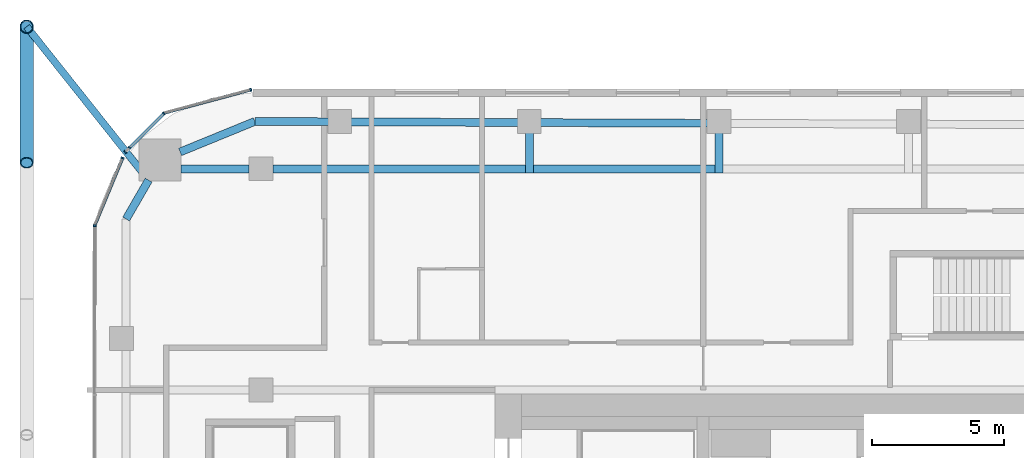
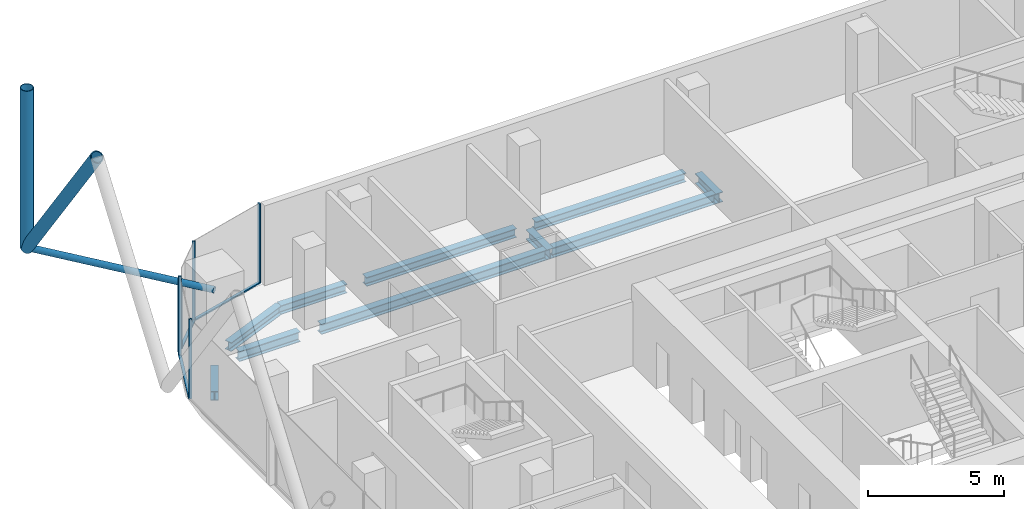
# One storey, part 11 of 33: 12 members, 10 beams, 5 elements without a shape of their own.
"""IFC4 building model written with IfcOpenShell, lengths in metres."""

from ifc_helpers import new_model, si_unit, direction, frame, origin, origin_2d, place, context, subcontext, project, spatial, rectangle, hollow_circle, i_section, extrude, material, layer, layer_set, material_profile, profile_set, type_object, element, aggregate, save


model = new_model("IFC4")

# Units and contexts
model_context = context("Model", 3, precision=1e-05, world=origin(), true_north=direction((0.0, 1.0)))
body_context = subcontext(model_context, "Body", "Model", "MODEL_VIEW")
ifc_project = project(units=[si_unit("LENGTHUNIT", "METRE"), si_unit("AREAUNIT", "SQUARE_METRE"), si_unit("VOLUMEUNIT", "CUBIC_METRE"), si_unit("PLANEANGLEUNIT", "RADIAN"), si_unit("MASSUNIT", "GRAM", prefix="KILO")], contexts=[model_context])

# Site, building, storey
site_placement = place(None, origin())
site = spatial("IfcSite", under=ifc_project, at=site_placement, CompositionType="ELEMENT")
building_placement = place(site_placement, origin())
building = spatial("IfcBuilding", under=site, at=building_placement, Name="Marenta Gate Hotel Tower", CompositionType="ELEMENT")
storey_placement = place(building_placement, frame((0.0, 0.0, 151.699951171875)))
storey = spatial("IfcBuildingStorey", under=building, at=storey_placement, Name="L35", CompositionType="ELEMENT", Elevation=151.699951171875)

# Members
ifc_material_1 = material(Name="Steel S355J2W", Category="steel")
ifc_material_profile_1 = material_profile(ifc_material_1, hollow_circle(Radius=0.25390625, WallThickness=0.02490234375, at=origin_2d()), Name="CHS 508x25")
ifc_profile_set_1 = profile_set([ifc_material_profile_1], Name="Steel S355J2W")
member_type_1 = type_object("IfcMemberType", Name="Diagrid corner post Z2 CHS 508x25", PredefinedType="POST", material=ifc_profile_set_1)
member_1_placement = place(storey_placement, frame((-29.89990234375, 30.60009765625, 3.14013671875), z_axis=(0.0, 0.0, 1.0), x_axis=(1.0, 0.0, 0.0)))
element("IfcMember", 1, at=member_1_placement, inside=storey, type_object=member_type_1, Name="L35-DR-6", PredefinedType="POST", context=body_context, shape_type="SweptSolid", body=[
    extrude(hollow_circle(Radius=0.25390625, WallThickness=0.02490234375, at=origin_2d()), origin(), (0.0, 0.0, 1.0), 7.199951171875),
])
ifc_material_2 = material(Name="Steel S355J2W", Category="steel")
ifc_material_profile_2 = material_profile(ifc_material_2, hollow_circle(Radius=0.25390625, WallThickness=0.0400390625, at=origin_2d()), Name="CHS 508x40")
ifc_profile_set_2 = profile_set([ifc_material_profile_2], Name="Steel S355J2W")
member_type_2 = type_object("IfcMemberType", Name="Diagrid diagonal Z2 CHS 508x40", PredefinedType="BRACE", material=ifc_profile_set_2)
member_2_placement = place(storey_placement, frame((-29.89990234375, 30.60009765625, 3.14013671875), z_axis=(0.0, -0.583279014058, 0.812271870595), x_axis=(1.0, 0.0, 0.0)))
element("IfcMember", 2, at=member_2_placement, inside=storey, type_object=member_type_2, Name="L35-DG-34", PredefinedType="BRACE", context=body_context, shape_type="SweptSolid", body=[
    extrude(hollow_circle(Radius=0.25390625, WallThickness=0.0400390625, at=origin_2d()), origin(), (0.0, 0.0, 1.0), 8.864013671875),
])

# Beams
ifc_material_3 = material(Name="Steel S355", Category="steel")
ifc_material_profile_3 = material_profile(ifc_material_3, i_section(OverallWidth=0.300048828125, OverallDepth=0.39990234375, WebThickness=0.013427734375, FlangeThickness=0.02392578125, FilletRadius=0.027099609375, at=origin_2d()), Name="HEB 400")
ifc_profile_set_3 = profile_set([ifc_material_profile_3], Name="Steel S355")
beam_type_1 = type_object("IfcBeamType", Name="Edge beam HEB 400", PredefinedType="SPANDREL", material=ifc_profile_set_3)
beam_1_placement = place(storey_placement, frame((-26.121337890625, 23.291748046875, -0.4599609375), z_axis=(0.500015459501, 0.866016478054, 0.0), x_axis=(-0.866016478054, 0.500015459501, 0.0)))
element("IfcBeam", 3, at=beam_1_placement, inside=storey, type_object=beam_type_1, Name="L35-EB-11", PredefinedType="SPANDREL", context=body_context, shape_type="SweptSolid", body=[
    extrude(i_section(OverallWidth=0.300048828125, OverallDepth=0.39990234375, WebThickness=0.013427734375, FlangeThickness=0.02392578125, FilletRadius=0.027099609375, at=origin_2d()), origin(), (0.0, 0.0, 1.0), 1.70703125),
])
beam_2_placement = place(storey_placement, frame((-24.072509765625, 25.839111328125, -0.4599609375), z_axis=(0.925565978946, 0.378586342356, 0.0), x_axis=(-0.378586342356, 0.925565978946, 0.0)))
element("IfcBeam", 4, at=beam_2_placement, inside=storey, type_object=beam_type_1, Name="L35-EB-12", PredefinedType="SPANDREL", context=body_context, shape_type="SweptSolid", body=[
    extrude(i_section(OverallWidth=0.300048828125, OverallDepth=0.39990234375, WebThickness=0.013427734375, FlangeThickness=0.02392578125, FilletRadius=0.027099609375, at=origin_2d()), origin(), (0.0, 0.0, 1.0), 3.06640625),
])
beam_3_placement = place(storey_placement, frame((-21.234375, 27.0, -0.4599609375), z_axis=(0.999991706293, -0.004072756516, 0.0), x_axis=(0.004072756516, 0.999991706293, 0.0)))
element("IfcBeam", 5, at=beam_3_placement, inside=storey, type_object=beam_type_1, Name="L35-EB-13", PredefinedType="SPANDREL", context=body_context, shape_type="SweptSolid", body=[
    extrude(i_section(OverallWidth=0.300048828125, OverallDepth=0.39990234375, WebThickness=0.013427734375, FlangeThickness=0.02392578125, FilletRadius=0.027099609375, at=origin_2d()), origin(), (0.0, 0.0, 1.0), 2.8173828125),
])
beam_4_placement = place(storey_placement, frame((-17.596923828125, 26.985107421875, -0.4599609375), z_axis=(0.999991780748, -0.00405443424, 0.0), x_axis=(0.00405443424, 0.999991780748, 0.0)))
element("IfcBeam", 6, at=beam_4_placement, inside=storey, type_object=beam_type_1, Name="L35-EB-14", PredefinedType="SPANDREL", context=body_context, shape_type="SweptSolid", body=[
    extrude(i_section(OverallWidth=0.300048828125, OverallDepth=0.39990234375, WebThickness=0.013427734375, FlangeThickness=0.02392578125, FilletRadius=0.027099609375, at=origin_2d()), origin(), (0.0, 0.0, 1.0), 6.3828125),
])
beam_5_placement = place(storey_placement, frame((-10.39404296875, 26.955810546875, -0.4599609375), z_axis=(0.999991624297, -0.004092839529, 0.0), x_axis=(0.004092839529, 0.999991624297, 0.0)))
element("IfcBeam", 7, at=beam_5_placement, inside=storey, type_object=beam_type_1, Name="L35-EB-15", PredefinedType="SPANDREL", context=body_context, shape_type="SweptSolid", body=[
    extrude(i_section(OverallWidth=0.300048828125, OverallDepth=0.39990234375, WebThickness=0.013427734375, FlangeThickness=0.02392578125, FilletRadius=0.027099609375, at=origin_2d()), origin(), (0.0, 0.0, 1.0), 6.382568359375),
])

# Member
ifc_material_4 = material(Name="Steel S355J2W", Category="steel")
ifc_material_profile_4 = material_profile(ifc_material_4, hollow_circle(Radius=0.136474609375, WallThickness=0.012451171875, at=origin_2d()), Name="CHS 273x12.5")
ifc_profile_set_4 = profile_set([ifc_material_profile_4], Name="Steel S355J2W")
member_type_3 = type_object("IfcMemberType", Name="Floor tie CHS 273x12.5", PredefinedType="STRUT", material=ifc_profile_set_4)
member_3_placement = place(storey_placement, frame((-29.89990234375, 30.60009765625, 3.14013671875), z_axis=(0.622094046149, -0.782942525187, 0.0), x_axis=(0.782942525187, 0.622094046149, 0.0)))
element("IfcMember", 8, at=member_3_placement, inside=storey, type_object=member_type_3, Name="L35-DR-12", PredefinedType="STRUT", context=body_context, shape_type="SweptSolid", body=[
    extrude(hollow_circle(Radius=0.136474609375, WallThickness=0.012451171875, at=origin_2d()), origin(), (0.0, 0.0, 1.0), 7.43896484375),
])

# Beams
ifc_material_5 = material(Name="Steel S355", Category="steel")
ifc_material_profile_5 = material_profile(ifc_material_5, i_section(OverallWidth=0.300048828125, OverallDepth=0.449951171875, WebThickness=0.013916015625, FlangeThickness=0.02587890625, FilletRadius=0.027099609375, at=origin_2d()), Name="HEB 450")
ifc_profile_set_5 = profile_set([ifc_material_profile_5], Name="Steel S355")
beam_type_2 = type_object("IfcBeamType", Name="Girder HEB 450", PredefinedType="BEAM", material=ifc_profile_set_5)
beam_6_placement = place(storey_placement, frame((-24.035400390625, 25.199951171875, -0.48486328125), z_axis=(1.0, 0.0, 0.0), x_axis=(0.0, 1.0, 0.0)))
element("IfcBeam", 9, at=beam_6_placement, inside=storey, type_object=beam_type_2, Name="L35-GD-29", PredefinedType="BEAM", context=body_context, shape_type="SweptSolid", body=[
    extrude(i_section(OverallWidth=0.300048828125, OverallDepth=0.449951171875, WebThickness=0.013916015625, FlangeThickness=0.02587890625, FilletRadius=0.027099609375, at=origin_2d()), origin(), (0.0, 0.0, 1.0), 2.58544921875),
])
beam_7_placement = place(storey_placement, frame((-20.550048828125, 25.199951171875, -0.48486328125), z_axis=(1.0, 0.0, 0.0), x_axis=(0.0, 1.0, 0.0)))
element("IfcBeam", 10, at=beam_7_placement, inside=storey, type_object=beam_type_2, Name="L35-GD-30", PredefinedType="BEAM", context=body_context, shape_type="SweptSolid", body=[
    extrude(i_section(OverallWidth=0.300048828125, OverallDepth=0.449951171875, WebThickness=0.013916015625, FlangeThickness=0.02587890625, FilletRadius=0.027099609375, at=origin_2d()), origin(), (0.0, 0.0, 1.0), 9.595947265625),
])
beam_8_placement = place(storey_placement, frame((-10.654052734375, 25.199951171875, -0.48486328125), z_axis=(1.0, 0.0, 0.0), x_axis=(0.0, 1.0, 0.0)))
element("IfcBeam", 11, at=beam_8_placement, inside=storey, type_object=beam_type_2, Name="L35-GD-31", PredefinedType="BEAM", context=body_context, shape_type="SweptSolid", body=[
    extrude(i_section(OverallWidth=0.300048828125, OverallDepth=0.449951171875, WebThickness=0.013916015625, FlangeThickness=0.02587890625, FilletRadius=0.027099609375, at=origin_2d()), origin(), (0.0, 0.0, 1.0), 6.902587890625),
])
ifc_material_6 = material(Name="Steel S355", Category="steel")
ifc_material_profile_6 = material_profile(ifc_material_6, i_section(OverallWidth=0.300048828125, OverallDepth=0.449951171875, WebThickness=0.013916015625, FlangeThickness=0.02587890625, FilletRadius=0.027099609375, at=origin_2d()), Name="HEB 450")
ifc_profile_set_6 = profile_set([ifc_material_profile_6], Name="Steel S355")
beam_type_3 = type_object("IfcBeamType", Name="Girder bracket HEB 450", PredefinedType="BEAM", material=ifc_profile_set_6)
for number, where, z_axis, x_axis, name in (
    (12, (-10.80419921875, 25.050048828125, -0.48486328125), (0.0, 1.0, 0.0), (-1.0, 0.0, 0.0), "L35-GS-1"),
    (13, (-3.601318359375, 25.050048828125, -0.48486328125), (0.0, 1.0, 0.0), (-1.0, 0.0, 0.0), "L35-GS-2"),
):
    element("IfcBeam", number, at=place(storey_placement, frame(where, z_axis=z_axis, x_axis=x_axis)), inside=storey, type_object=beam_type_3, Name=name, PredefinedType="BEAM", context=body_context, shape_type="SweptSolid", body=[
        extrude(i_section(OverallWidth=0.300048828125, OverallDepth=0.449951171875, WebThickness=0.013916015625, FlangeThickness=0.02587890625, FilletRadius=0.027099609375, at=origin_2d()), origin(), (0.0, 0.0, 1.0), 1.5400390625),
    ])

# Curtain wall, member
ifc_material_7 = material(Name="Tinted insulated glass in bronze anodised frame", Category="glass")
ifc_layer = layer(ifc_material_7, 0.1201171875)
ifc_layer_set = layer_set([ifc_layer], Name="Tinted insulated glass in bronze anodised frame")
curtain_wall_type = type_object("IfcCurtainWallType", Name="Tower unitised curtain wall CW1", PredefinedType="NOTDEFINED", material=ifc_layer_set)
curtain_wall_1_placement = place(storey_placement, origin())
curtain_wall_1 = element("IfcCurtainWall", 14, at=curtain_wall_1_placement, inside=storey, type_object=curtain_wall_type, Name="CW1 run G00", PredefinedType="NOTDEFINED")
ifc_material_8 = material(Name="Bronze anodised aluminium", Category="aluminium")
ifc_material_profile_7 = material_profile(ifc_material_8, rectangle(XDim=0.1201171875, YDim=0.06005859375, at=origin_2d()), Name="Mullion CW1 60x120 bronze anodised aluminium")
ifc_profile_set_7 = profile_set([ifc_material_profile_7], Name="Bronze anodised aluminium")
member_type_4 = type_object("IfcMemberType", Name="Mullion CW1 60x120 bronze anodised aluminium", PredefinedType="MULLION", material=ifc_profile_set_7)
member_4_placement = place(storey_placement, frame((-21.385498046875, 28.203125, 0.0), z_axis=(0.0, 0.0, 1.0), x_axis=(0.258801234873, -0.96593059835, 0.0)))
member_4 = element("IfcMember", 15, at=member_4_placement, type_object=member_type_4, Name="CW1 mullion 1", PredefinedType="MULLION", context=body_context, shape_type="SweptSolid", body=[
    extrude(rectangle(XDim=0.1201171875, YDim=0.06005859375, at=origin_2d()), origin(), (0.0, 0.0, 1.0), 3.60009765625),
])

curtain_wall_2_placement = place(storey_placement, origin())
curtain_wall_2 = element("IfcCurtainWall", 16, at=curtain_wall_2_placement, inside=storey, type_object=curtain_wall_type, Name="CW1 run G01", PredefinedType="NOTDEFINED")
member_5_placement = place(storey_placement, frame((-24.68798828125, 27.302978515625, 0.0), z_axis=(0.0, 0.0, 1.0), x_axis=(0.707106781187, -0.707106781187, 0.0)))
member_5 = element("IfcMember", 17, at=member_5_placement, type_object=member_type_4, Name="CW1 mullion 1", PredefinedType="MULLION", context=body_context, shape_type="SweptSolid", body=[
    extrude(rectangle(XDim=0.1201171875, YDim=0.06005859375, at=origin_2d()), origin(), (0.0, 0.0, 1.0), 3.60009765625),
])

# Curtain wall, members
curtain_wall_3_placement = place(storey_placement, origin())
curtain_wall_3 = element("IfcCurtainWall", 18, at=curtain_wall_3_placement, inside=storey, type_object=curtain_wall_type, Name="CW1 run G02", PredefinedType="NOTDEFINED")
member_6_placement = place(storey_placement, frame((-25.992431640625, 25.998291015625, 0.0), z_axis=(0.0, 0.0, 1.0), x_axis=(0.707106781187, -0.707106781187, 0.0)))
member_6 = element("IfcMember", 19, at=member_6_placement, type_object=member_type_4, Name="CW1 mullion 1", PredefinedType="MULLION", context=body_context, shape_type="SweptSolid", body=[
    extrude(rectangle(XDim=0.1201171875, YDim=0.06005859375, at=origin_2d()), origin(), (0.0, 0.0, 1.0), 3.00048828125),
])
member_7_placement = place(storey_placement, frame((-26.151123046875, 25.839599609375, 0.0), z_axis=(0.0, 0.0, 1.0), x_axis=(0.707106781187, -0.707106781187, 0.0)))
member_7 = element("IfcMember", 20, at=member_7_placement, type_object=member_type_4, Name="CW1 mullion 2", PredefinedType="MULLION", context=body_context, shape_type="SweptSolid", body=[
    extrude(rectangle(XDim=0.1201171875, YDim=0.06005859375, at=origin_2d()), origin(), (0.0, 0.0, 1.0), 3.00048828125),
])
aggregate(curtain_wall_3, [member_6, member_7])

# Curtain wall, member
curtain_wall_4_placement = place(storey_placement, origin())
curtain_wall_4 = element("IfcCurtainWall", 21, at=curtain_wall_4_placement, inside=storey, type_object=curtain_wall_type, Name="CW1 run G03", PredefinedType="NOTDEFINED")
member_8_placement = place(storey_placement, frame((-26.25830078125, 25.610595703125, 0.0), z_axis=(0.0, 0.0, 1.0), x_axis=(0.923879367898, -0.382683829775, 0.0)))
member_8 = element("IfcMember", 22, at=member_8_placement, type_object=member_type_4, Name="CW1 mullion 1", PredefinedType="MULLION", context=body_context, shape_type="SweptSolid", body=[
    extrude(rectangle(XDim=0.1201171875, YDim=0.06005859375, at=origin_2d()), origin(), (0.0, 0.0, 1.0), 3.60009765625),
])

curtain_wall_5_placement = place(storey_placement, origin())
curtain_wall_5 = element("IfcCurtainWall", 23, at=curtain_wall_5_placement, inside=storey, type_object=curtain_wall_type, Name="CW1 run G04", PredefinedType="NOTDEFINED")
member_9_placement = place(storey_placement, frame((-27.312255859375, 23.0361328125, 0.0), z_axis=(0.0, 0.0, 1.0), x_axis=(0.99999877375, -0.001566045546, 0.0)))
member_9 = element("IfcMember", 24, at=member_9_placement, type_object=member_type_4, Name="CW1 mullion 1", PredefinedType="MULLION", context=body_context, shape_type="SweptSolid", body=[
    extrude(rectangle(XDim=0.1201171875, YDim=0.06005859375, at=origin_2d()), origin(), (0.0, 0.0, 1.0), 3.60009765625),
])
aggregate(curtain_wall_5, [member_9])

# Member
ifc_material_9 = material(Name="Bronze anodised aluminium", Category="aluminium")
ifc_material_profile_8 = material_profile(ifc_material_9, rectangle(XDim=0.1201171875, YDim=0.06005859375, at=origin_2d()), Name="Transom CW1 60x120 bronze anodised aluminium")
ifc_profile_set_8 = profile_set([ifc_material_profile_8], Name="Bronze anodised aluminium")
member_type_5 = type_object("IfcMemberType", Name="Transom CW1 60x120 bronze anodised aluminium", PredefinedType="USERDEFINED", material=ifc_profile_set_8)
member_10_placement = place(storey_placement, frame((-21.41455078125, 28.195556640625, 0.030029296875), z_axis=(-0.965932192411, -0.258795285243, 0.0), x_axis=(0.258795285243, -0.965932192411, 0.0)))
member_10 = element("IfcMember", 25, at=member_10_placement, type_object=member_type_5, Name="CW1 transom 1.1", ObjectType="TRANSOM", PredefinedType="USERDEFINED", context=body_context, shape_type="SweptSolid", body=[
    extrude(rectangle(XDim=0.1201171875, YDim=0.06005859375, at=origin_2d()), origin(), (0.0, 0.0, 1.0), 3.366943359375),
])

aggregate(curtain_wall_1, [member_4, member_10])

member_11_placement = place(storey_placement, frame((-24.709228515625, 27.28173828125, 0.030029296875), z_axis=(-0.707038385696, -0.707175170062, 0.0), x_axis=(0.707175170062, -0.707038385696, 0.0)))
member_11 = element("IfcMember", 26, at=member_11_placement, type_object=member_type_5, Name="CW1 transom 1.1", ObjectType="TRANSOM", PredefinedType="USERDEFINED", context=body_context, shape_type="SweptSolid", body=[
    extrude(rectangle(XDim=0.1201171875, YDim=0.06005859375, at=origin_2d()), origin(), (0.0, 0.0, 1.0), 1.784912109375),
])

aggregate(curtain_wall_2, [member_5, member_11])

member_12_placement = place(storey_placement, frame((-26.269775390625, 25.582763671875, 0.030029296875), z_axis=(-0.382705357384, -0.923870450566, 0.0), x_axis=(0.923870450566, -0.382705357384, 0.0)))
member_12 = element("IfcMember", 27, at=member_12_placement, type_object=member_type_5, Name="CW1 transom 1.1", ObjectType="TRANSOM", PredefinedType="USERDEFINED", context=body_context, shape_type="SweptSolid", body=[
    extrude(rectangle(XDim=0.1201171875, YDim=0.06005859375, at=origin_2d()), origin(), (0.0, 0.0, 1.0), 2.723876953125),
])

aggregate(curtain_wall_4, [member_8, member_12])

save(model, "model.ifc")
